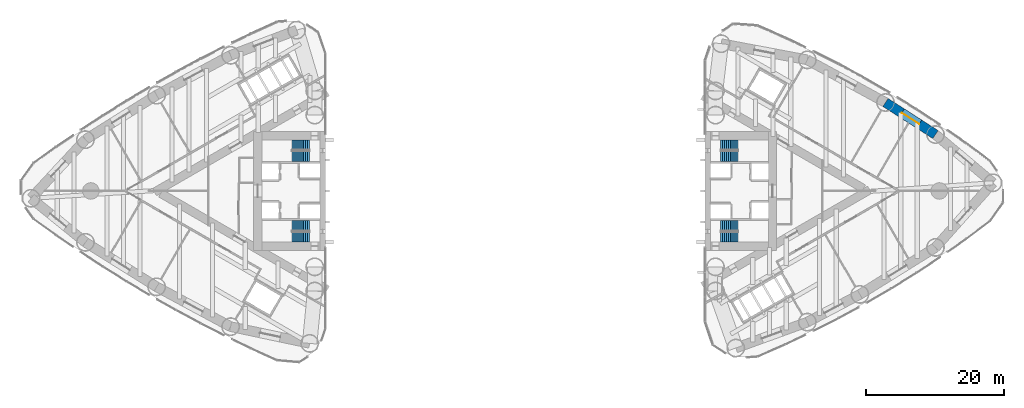
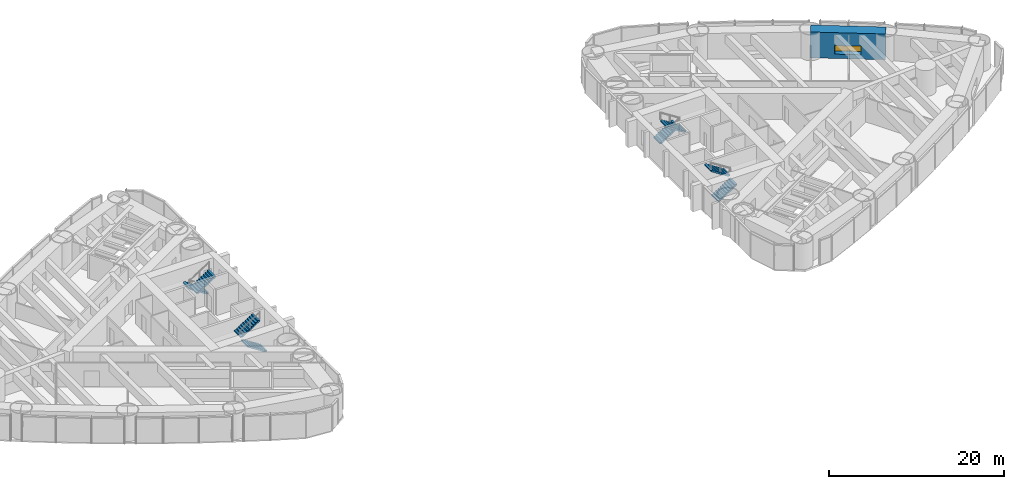
# One storey, part 15 of 16: 8 stair flights, 1 wall, 1 window, 1 opening, 4 elements without a shape of their own.
"""IFC4 building model written with IfcOpenShell, lengths in metres."""

from ifc_helpers import new_model, si_unit, direction, frame, frame_2d, origin, place, context, subcontext, project, spatial, polyline, rectangle, outline, extrude, material, layer, layer_set, type_object, element, fill, aggregate, save


model = new_model("IFC4")

# Units and contexts
model_context = context("Model", 3, precision=1e-05, world=origin(), true_north=direction((0.0, 1.0)))
body_context = subcontext(model_context, "Body", "Model", "MODEL_VIEW")
ifc_project = project(units=[si_unit("LENGTHUNIT", "METRE"), si_unit("AREAUNIT", "SQUARE_METRE"), si_unit("VOLUMEUNIT", "CUBIC_METRE"), si_unit("PLANEANGLEUNIT", "RADIAN"), si_unit("MASSUNIT", "GRAM", prefix="KILO")], contexts=[model_context])

# Site, building, storey
site_placement = place(None, origin())
site = spatial("IfcSite", under=ifc_project, at=site_placement, CompositionType="ELEMENT")
building_placement = place(site_placement, origin())
building = spatial("IfcBuilding", under=site, at=building_placement, Name="Lancet Gate Hotel", CompositionType="ELEMENT")
storey_placement = place(building_placement, frame((0.0, 0.0, 143.10009765625)))
storey = spatial("IfcBuildingStorey", under=building, at=storey_placement, Name="L38", CompositionType="ELEMENT", Elevation=143.10009765625)

# Wall, opening, window
ifc_material_1 = material(Name="Concrete C80/95", Category="concrete")
ifc_layer = layer(ifc_material_1, 1.39990234375)
ifc_layer_set = layer_set([ifc_layer], Name="Belt wall 1400")
wall_type = type_object("IfcWallType", Name="Belt wall 1400", PredefinedType="SHEAR", material=ifc_layer_set)
wall_placement = place(storey_placement, frame((60.940673828125, 8.18115234375, 0.0), z_axis=(0.0, 0.0, 1.0), x_axis=(-0.841727408736, 0.539902740669, 0.0)))
wall = element("IfcWall", 1, at=wall_placement, inside=storey, type_object=wall_type, Name="T2 belt wall ON1-ON2 L38", PredefinedType="SHEAR", context=body_context, shape_type="SweptSolid", body=[
    extrude(rectangle(XDim=8.605712890625, YDim=1.39990234375, at=frame_2d((4.302734375, 0.0))), origin(), (0.0, 0.0, 1.0), 3.599853515625),
])
opening_placement = place(wall_placement, frame((2.802978515625, 0.0, 0.60009765625)))
opening = element("IfcOpeningElement", 2, at=opening_placement, cuts=wall, Name="Opening LV1", PredefinedType="OPENING", context=body_context, shape_type="SweptSolid", body=[
    extrude(rectangle(XDim=3.0, YDim=1.199951171875, at=frame_2d((1.5, 0.60009765625))), frame((0.0, 0.7099609375, 0.0), z_axis=(0.0, -1.0, 0.0), x_axis=(1.0, 0.0, 0.0)), (0.0, 0.0, 1.0), 1.419921875),
])
ifc_material_2 = material(Name="Aluminium weather louvre", Category="aluminium")
window_type = type_object("IfcWindowType", Name="Refuge louvre 3000x1200", PartitioningType="SINGLE_PANEL", PredefinedType="WINDOW", material=ifc_material_2)
window_placement = place(opening_placement, origin())
window = element("IfcWindow", 3, at=window_placement, inside=storey, type_object=window_type, Name="T2 belt louvre ON1-ON2 L38", OverallHeight=1.199951171875, OverallWidth=3.0, PartitioningType="SINGLE_PANEL", PredefinedType="WINDOW", context=body_context, shape_type="SweptSolid", body=[
    extrude(rectangle(XDim=3.0, YDim=1.199951171875, at=frame_2d((1.5, 0.60009765625))), frame((0.0, 0.030029296875, 0.0), z_axis=(0.0, -1.0, 0.0), x_axis=(1.0, 0.0, 0.0)), (0.0, 0.0, 1.0), 0.06005859375),
])
fill(opening, window)

# Stair, stair flights
ifc_material_3 = material(Name="Exit stair 20 risers 1500")
stair_type = type_object("IfcStairType", Name="Exit stair 20 risers 1500", PredefinedType="HALF_TURN_STAIR", material=ifc_material_3)
stair_1_placement = place(storey_placement, origin())
stair_1 = element("IfcStair", 4, at=stair_1_placement, inside=storey, type_object=stair_type, Name="T1 stair 1 L38", PredefinedType="HALF_TURN_STAIR")
ifc_material_4 = material(Name="Stair flight 10 risers 180 rise 1500")
stair_flight_type = type_object("IfcStairFlightType", Name="Stair flight 10 risers 180 rise 1500", PredefinedType="STRAIGHT", material=ifc_material_4)
stair_flight_1_placement = place(storey_placement, frame((-29.800048828125, 6.64990234375, 0.0), z_axis=(0.0, 0.0, 1.0), x_axis=(-1.0, 0.0, 0.0)))
stair_flight_1 = element("IfcStairFlight", 5, at=stair_flight_1_placement, type_object=stair_flight_type, Name="ST1 flight 1", NumberOfRisers=10, NumberOfTreads=9, PredefinedType="STRAIGHT", RiserHeight=0.18, TreadLength=0.28, context=body_context, shape_type="SweptSolid", body=[
    extrude(outline(polyline([(0.0, 0.0), (0.0, 0.179931640625), (0.280029296875, 0.179931640625), (0.280029296875, 0.360107421875), (0.56005859375, 0.360107421875), (0.56005859375, 0.5400390625), (0.840087890625, 0.5400390625), (0.840087890625, 0.719970703125), (1.1201171875, 0.719970703125), (1.1201171875, 0.89990234375), (1.39990234375, 0.89990234375), (1.39990234375, 1.080078125), (1.679931640625, 1.080078125), (1.679931640625, 1.260009765625), (1.9599609375, 1.260009765625), (1.9599609375, 1.43994140625), (2.239990234375, 1.43994140625), (2.239990234375, 1.6201171875), (2.52001953125, 1.6201171875), (2.52001953125, 1.800048828125), (2.52001953125, 1.44189453125), (0.277099609375, 0.0), (0.0, 0.0)])), frame((0.0, 0.75, 0.0), z_axis=(0.0, -1.0, 0.0), x_axis=(1.0, 0.0, 0.0)), (0.0, 0.0, 1.0), 1.5),
])
stair_flight_2_placement = place(storey_placement, frame((-32.320068359375, 5.050048828125, 1.7998046875), z_axis=(0.0, 0.0, 1.0), x_axis=(1.0, 0.0, 0.0)))
stair_flight_2 = element("IfcStairFlight", 6, at=stair_flight_2_placement, type_object=stair_flight_type, Name="ST1 flight 2", NumberOfRisers=10, NumberOfTreads=9, PredefinedType="STRAIGHT", RiserHeight=0.18, TreadLength=0.28, context=body_context, shape_type="SweptSolid", body=[
    extrude(outline(polyline([(0.0, 0.0), (0.0, 0.179931640625), (0.280029296875, 0.179931640625), (0.280029296875, 0.360107421875), (0.56005859375, 0.360107421875), (0.56005859375, 0.5400390625), (0.840087890625, 0.5400390625), (0.840087890625, 0.719970703125), (1.1201171875, 0.719970703125), (1.1201171875, 0.89990234375), (1.39990234375, 0.89990234375), (1.39990234375, 1.080078125), (1.679931640625, 1.080078125), (1.679931640625, 1.260009765625), (1.9599609375, 1.260009765625), (1.9599609375, 1.43994140625), (2.239990234375, 1.43994140625), (2.239990234375, 1.6201171875), (2.52001953125, 1.6201171875), (2.52001953125, 1.800048828125), (2.52001953125, 1.44189453125), (0.277099609375, 0.0), (0.0, 0.0)])), frame((0.0, 0.75, 0.0), z_axis=(0.0, -1.0, 0.0), x_axis=(1.0, 0.0, 0.0)), (0.0, 0.0, 1.0), 1.5),
])
aggregate(stair_1, [stair_flight_1, stair_flight_2])

stair_2_placement = place(storey_placement, origin())
stair_2 = element("IfcStair", 7, at=stair_2_placement, inside=storey, type_object=stair_type, Name="T1 stair 2 L38", PredefinedType="HALF_TURN_STAIR")
stair_flight_3_placement = place(storey_placement, frame((-29.800048828125, -6.64990234375, 0.0), z_axis=(0.0, 0.0, 1.0), x_axis=(-1.0, 0.0, 0.0)))
stair_flight_3 = element("IfcStairFlight", 8, at=stair_flight_3_placement, type_object=stair_flight_type, Name="ST2 flight 1", NumberOfRisers=10, NumberOfTreads=9, PredefinedType="STRAIGHT", RiserHeight=0.18, TreadLength=0.28, context=body_context, shape_type="SweptSolid", body=[
    extrude(outline(polyline([(0.0, 0.0), (0.0, 0.179931640625), (0.280029296875, 0.179931640625), (0.280029296875, 0.360107421875), (0.56005859375, 0.360107421875), (0.56005859375, 0.5400390625), (0.840087890625, 0.5400390625), (0.840087890625, 0.719970703125), (1.1201171875, 0.719970703125), (1.1201171875, 0.89990234375), (1.39990234375, 0.89990234375), (1.39990234375, 1.080078125), (1.679931640625, 1.080078125), (1.679931640625, 1.260009765625), (1.9599609375, 1.260009765625), (1.9599609375, 1.43994140625), (2.239990234375, 1.43994140625), (2.239990234375, 1.6201171875), (2.52001953125, 1.6201171875), (2.52001953125, 1.800048828125), (2.52001953125, 1.44189453125), (0.277099609375, 0.0), (0.0, 0.0)])), frame((0.0, 0.75, 0.0), z_axis=(0.0, -1.0, 0.0), x_axis=(1.0, 0.0, 0.0)), (0.0, 0.0, 1.0), 1.5),
])
stair_flight_4_placement = place(storey_placement, frame((-32.320068359375, -5.050048828125, 1.7998046875), z_axis=(0.0, 0.0, 1.0), x_axis=(1.0, 0.0, 0.0)))
stair_flight_4 = element("IfcStairFlight", 9, at=stair_flight_4_placement, type_object=stair_flight_type, Name="ST2 flight 2", NumberOfRisers=10, NumberOfTreads=9, PredefinedType="STRAIGHT", RiserHeight=0.18, TreadLength=0.28, context=body_context, shape_type="SweptSolid", body=[
    extrude(outline(polyline([(0.0, 0.0), (0.0, 0.179931640625), (0.280029296875, 0.179931640625), (0.280029296875, 0.360107421875), (0.56005859375, 0.360107421875), (0.56005859375, 0.5400390625), (0.840087890625, 0.5400390625), (0.840087890625, 0.719970703125), (1.1201171875, 0.719970703125), (1.1201171875, 0.89990234375), (1.39990234375, 0.89990234375), (1.39990234375, 1.080078125), (1.679931640625, 1.080078125), (1.679931640625, 1.260009765625), (1.9599609375, 1.260009765625), (1.9599609375, 1.43994140625), (2.239990234375, 1.43994140625), (2.239990234375, 1.6201171875), (2.52001953125, 1.6201171875), (2.52001953125, 1.800048828125), (2.52001953125, 1.44189453125), (0.277099609375, 0.0), (0.0, 0.0)])), frame((0.0, 0.75, 0.0), z_axis=(0.0, -1.0, 0.0), x_axis=(1.0, 0.0, 0.0)), (0.0, 0.0, 1.0), 1.5),
])
aggregate(stair_2, [stair_flight_3, stair_flight_4])

stair_3_placement = place(storey_placement, origin())
stair_3 = element("IfcStair", 10, at=stair_3_placement, inside=storey, type_object=stair_type, Name="T2 stair 1 L38", PredefinedType="HALF_TURN_STAIR")
stair_flight_5_placement = place(storey_placement, frame((29.800048828125, -6.64990234375, 0.0), z_axis=(0.0, 0.0, 1.0), x_axis=(1.0, 0.0, 0.0)))
stair_flight_5 = element("IfcStairFlight", 11, at=stair_flight_5_placement, type_object=stair_flight_type, Name="ST3 flight 1", NumberOfRisers=10, NumberOfTreads=9, PredefinedType="STRAIGHT", RiserHeight=0.18, TreadLength=0.28, context=body_context, shape_type="SweptSolid", body=[
    extrude(outline(polyline([(0.0, 0.0), (0.0, 0.179931640625), (0.280029296875, 0.179931640625), (0.280029296875, 0.360107421875), (0.56005859375, 0.360107421875), (0.56005859375, 0.5400390625), (0.840087890625, 0.5400390625), (0.840087890625, 0.719970703125), (1.1201171875, 0.719970703125), (1.1201171875, 0.89990234375), (1.39990234375, 0.89990234375), (1.39990234375, 1.080078125), (1.679931640625, 1.080078125), (1.679931640625, 1.260009765625), (1.9599609375, 1.260009765625), (1.9599609375, 1.43994140625), (2.239990234375, 1.43994140625), (2.239990234375, 1.6201171875), (2.52001953125, 1.6201171875), (2.52001953125, 1.800048828125), (2.52001953125, 1.44189453125), (0.277099609375, 0.0), (0.0, 0.0)])), frame((0.0, 0.75, 0.0), z_axis=(0.0, -1.0, 0.0), x_axis=(1.0, 0.0, 0.0)), (0.0, 0.0, 1.0), 1.5),
])
stair_flight_6_placement = place(storey_placement, frame((32.320068359375, -5.050048828125, 1.7998046875), z_axis=(0.0, 0.0, 1.0), x_axis=(-1.0, 0.0, 0.0)))
stair_flight_6 = element("IfcStairFlight", 12, at=stair_flight_6_placement, type_object=stair_flight_type, Name="ST3 flight 2", NumberOfRisers=10, NumberOfTreads=9, PredefinedType="STRAIGHT", RiserHeight=0.18, TreadLength=0.28, context=body_context, shape_type="SweptSolid", body=[
    extrude(outline(polyline([(0.0, 0.0), (0.0, 0.179931640625), (0.280029296875, 0.179931640625), (0.280029296875, 0.360107421875), (0.56005859375, 0.360107421875), (0.56005859375, 0.5400390625), (0.840087890625, 0.5400390625), (0.840087890625, 0.719970703125), (1.1201171875, 0.719970703125), (1.1201171875, 0.89990234375), (1.39990234375, 0.89990234375), (1.39990234375, 1.080078125), (1.679931640625, 1.080078125), (1.679931640625, 1.260009765625), (1.9599609375, 1.260009765625), (1.9599609375, 1.43994140625), (2.239990234375, 1.43994140625), (2.239990234375, 1.6201171875), (2.52001953125, 1.6201171875), (2.52001953125, 1.800048828125), (2.52001953125, 1.44189453125), (0.277099609375, 0.0), (0.0, 0.0)])), frame((0.0, 0.75, 0.0), z_axis=(0.0, -1.0, 0.0), x_axis=(1.0, 0.0, 0.0)), (0.0, 0.0, 1.0), 1.5),
])
aggregate(stair_3, [stair_flight_5, stair_flight_6])

stair_4_placement = place(storey_placement, origin())
stair_4 = element("IfcStair", 13, at=stair_4_placement, inside=storey, type_object=stair_type, Name="T2 stair 2 L38", PredefinedType="HALF_TURN_STAIR")
stair_flight_7_placement = place(storey_placement, frame((29.800048828125, 6.64990234375, 0.0), z_axis=(0.0, 0.0, 1.0), x_axis=(1.0, 0.0, 0.0)))
stair_flight_7 = element("IfcStairFlight", 14, at=stair_flight_7_placement, type_object=stair_flight_type, Name="ST4 flight 1", NumberOfRisers=10, NumberOfTreads=9, PredefinedType="STRAIGHT", RiserHeight=0.18, TreadLength=0.28, context=body_context, shape_type="SweptSolid", body=[
    extrude(outline(polyline([(0.0, 0.0), (0.0, 0.179931640625), (0.280029296875, 0.179931640625), (0.280029296875, 0.360107421875), (0.56005859375, 0.360107421875), (0.56005859375, 0.5400390625), (0.840087890625, 0.5400390625), (0.840087890625, 0.719970703125), (1.1201171875, 0.719970703125), (1.1201171875, 0.89990234375), (1.39990234375, 0.89990234375), (1.39990234375, 1.080078125), (1.679931640625, 1.080078125), (1.679931640625, 1.260009765625), (1.9599609375, 1.260009765625), (1.9599609375, 1.43994140625), (2.239990234375, 1.43994140625), (2.239990234375, 1.6201171875), (2.52001953125, 1.6201171875), (2.52001953125, 1.800048828125), (2.52001953125, 1.44189453125), (0.277099609375, 0.0), (0.0, 0.0)])), frame((0.0, 0.75, 0.0), z_axis=(0.0, -1.0, 0.0), x_axis=(1.0, 0.0, 0.0)), (0.0, 0.0, 1.0), 1.5),
])
stair_flight_8_placement = place(storey_placement, frame((32.320068359375, 5.050048828125, 1.7998046875), z_axis=(0.0, 0.0, 1.0), x_axis=(-1.0, 0.0, 0.0)))
stair_flight_8 = element("IfcStairFlight", 15, at=stair_flight_8_placement, type_object=stair_flight_type, Name="ST4 flight 2", NumberOfRisers=10, NumberOfTreads=9, PredefinedType="STRAIGHT", RiserHeight=0.18, TreadLength=0.28, context=body_context, shape_type="SweptSolid", body=[
    extrude(outline(polyline([(0.0, 0.0), (0.0, 0.179931640625), (0.280029296875, 0.179931640625), (0.280029296875, 0.360107421875), (0.56005859375, 0.360107421875), (0.56005859375, 0.5400390625), (0.840087890625, 0.5400390625), (0.840087890625, 0.719970703125), (1.1201171875, 0.719970703125), (1.1201171875, 0.89990234375), (1.39990234375, 0.89990234375), (1.39990234375, 1.080078125), (1.679931640625, 1.080078125), (1.679931640625, 1.260009765625), (1.9599609375, 1.260009765625), (1.9599609375, 1.43994140625), (2.239990234375, 1.43994140625), (2.239990234375, 1.6201171875), (2.52001953125, 1.6201171875), (2.52001953125, 1.800048828125), (2.52001953125, 1.44189453125), (0.277099609375, 0.0), (0.0, 0.0)])), frame((0.0, 0.75, 0.0), z_axis=(0.0, -1.0, 0.0), x_axis=(1.0, 0.0, 0.0)), (0.0, 0.0, 1.0), 1.5),
])
aggregate(stair_4, [stair_flight_7, stair_flight_8])

save(model, "model.ifc")
